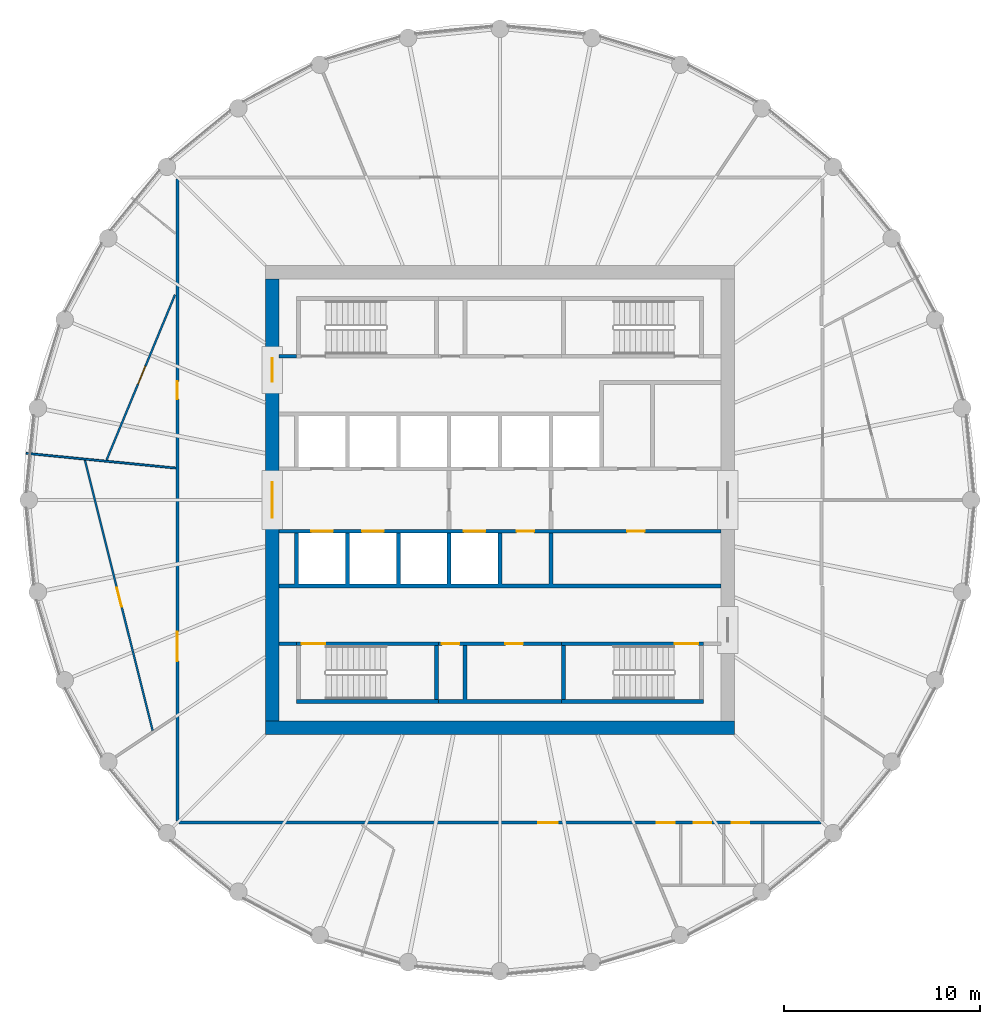
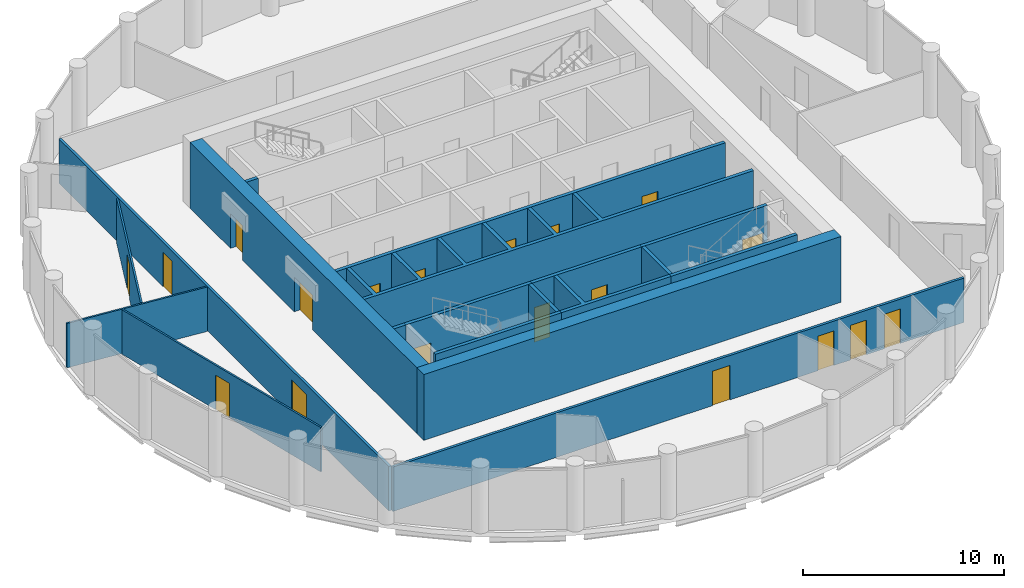
# One storey, part 4 of 7: 19 doors, 19 walls, 19 openings.
"""IFC4 building model written with IfcOpenShell, lengths in metres."""

from ifc_helpers import new_model, si_unit, direction, frame, frame_2d, origin, place, context, subcontext, project, spatial, polyline, rectangle, outline, extrude, material, layer, layer_set, type_object, element, fill, save


model = new_model("IFC4")

# Units and contexts
model_context = context("Model", 3, precision=1e-05, world=origin(), true_north=direction((0.0, 1.0)))
body_context = subcontext(model_context, "Body", "Model", "MODEL_VIEW")
ifc_project = project(units=[si_unit("LENGTHUNIT", "METRE"), si_unit("AREAUNIT", "SQUARE_METRE"), si_unit("VOLUMEUNIT", "CUBIC_METRE"), si_unit("PLANEANGLEUNIT", "RADIAN"), si_unit("MASSUNIT", "GRAM", prefix="KILO")], contexts=[model_context])

# Site, building, storey
site_placement = place(None, origin())
site = spatial("IfcSite", under=ifc_project, at=site_placement, CompositionType="ELEMENT")
building_placement = place(site_placement, origin())
building = spatial("IfcBuilding", under=site, at=building_placement, Name="Corvane Civic Tower", CompositionType="ELEMENT")
storey_placement = place(building_placement, frame((0.0, 0.0, 275.0)))
storey = spatial("IfcBuildingStorey", under=building, at=storey_placement, Name="L65", CompositionType="ELEMENT", Elevation=275.0)

# Wall
ifc_material_1 = material(Name="Concrete C40/50", Category="concrete")
ifc_layer_1 = layer(ifc_material_1, 0.699951171875)
ifc_layer_set_1 = layer_set([ifc_layer_1], Name="Concrete C40/50")
wall_type_1 = type_object("IfcWallType", Name="CORE WALL 700 C40/50", PredefinedType="SHEAR", material=ifc_layer_set_1)
wall_1_placement = place(storey_placement, frame((-12.0, -11.64990234375, 0.0), z_axis=(0.0, 0.0, 1.0), x_axis=(1.0, 0.0, 0.0)))
element("IfcWall", 1, at=wall_1_placement, inside=storey, type_object=wall_type_1, Name="W-L65-core-S", PredefinedType="SHEAR", context=body_context, shape_type="SweptSolid", body=[
    extrude(rectangle(XDim=24.0, YDim=0.699951171875, at=frame_2d((12.0, 0.0))), origin(), (0.0, 0.0, 1.0), 4.0),
])

# Wall, openings, doors
wall_2_placement = place(storey_placement, frame((-11.64990234375, -11.300048828125, 0.0), z_axis=(0.0, 0.0, 1.0), x_axis=(0.0, 1.0, 0.0)))
wall_2 = element("IfcWall", 2, at=wall_2_placement, inside=storey, type_object=wall_type_1, Name="W-L65-core-W", PredefinedType="SHEAR", context=body_context, shape_type="SweptSolid", body=[
    extrude(rectangle(XDim=22.60009765625, YDim=0.699951171875, at=frame_2d((11.300048828125, 0.0))), origin(), (0.0, 0.0, 1.0), 4.0),
])
opening_1_placement = place(wall_2_placement, frame((10.39990234375, 0.0, 0.0)))
opening_1 = element("IfcOpeningElement", 3, at=opening_1_placement, cuts=wall_2, Name="Opening L65.C15", PredefinedType="OPENING", context=body_context, shape_type="SweptSolid", body=[
    extrude(rectangle(XDim=1.800048828125, YDim=2.10009765625, at=frame_2d((0.89990234375, 1.050048828125))), frame((0.0, 0.35986328125, 0.0), z_axis=(0.0, -1.0, 0.0), x_axis=(1.0, 0.0, 0.0)), (0.0, 0.0, 1.0), 0.719970703125),
])
opening_2_placement = place(wall_2_placement, frame((17.35009765625, 0.0, 0.0)))
opening_2 = element("IfcOpeningElement", 4, at=opening_2_placement, cuts=wall_2, Name="Opening L65.C17", PredefinedType="OPENING", context=body_context, shape_type="SweptSolid", body=[
    extrude(rectangle(XDim=1.199951171875, YDim=2.10009765625, at=frame_2d((0.60009765625, 1.050048828125))), frame((0.0, 0.35986328125, 0.0), z_axis=(0.0, -1.0, 0.0), x_axis=(1.0, 0.0, 0.0)), (0.0, 0.0, 1.0), 0.719970703125),
])
ifc_material_2 = material(Name="Steel fire door leaf", Category="steel")
door_type_1 = type_object("IfcDoorType", Name="CR-DOOR-CORE-1800", OperationType="DOUBLE_DOOR_SINGLE_SWING", PredefinedType="DOOR", material=ifc_material_2)
door_1_placement = place(opening_1_placement, origin())
door_1 = element("IfcDoor", 5, at=door_1_placement, inside=storey, type_object=door_type_1, Name="L65 door", OperationType="DOUBLE_DOOR_SINGLE_SWING", OverallHeight=2.10009765625, OverallWidth=1.800048828125, PredefinedType="DOOR", context=body_context, shape_type="SweptSolid", body=[
    extrude(rectangle(XDim=1.800048828125, YDim=2.10009765625, at=frame_2d((0.89990234375, 1.050048828125))), frame((0.0, 0.02490234375, 0.0), z_axis=(0.0, -1.0, 0.0), x_axis=(1.0, 0.0, 0.0)), (0.0, 0.0, 1.0), 0.050048828125),
])
fill(opening_1, door_1)
door_2_placement = place(opening_2_placement, origin())
door_2 = element("IfcDoor", 6, at=door_2_placement, inside=storey, type_object=door_type_1, Name="L65 door", OperationType="DOUBLE_DOOR_SINGLE_SWING", OverallHeight=2.10009765625, OverallWidth=1.199951171875, PredefinedType="DOOR", context=body_context, shape_type="SweptSolid", body=[
    extrude(rectangle(XDim=1.199951171875, YDim=2.10009765625, at=frame_2d((0.60009765625, 1.050048828125))), frame((0.0, 0.02490234375, 0.0), z_axis=(0.0, -1.0, 0.0), x_axis=(1.0, 0.0, 0.0)), (0.0, 0.0, 1.0), 0.050048828125),
])
fill(opening_2, door_2)

ifc_material_3 = material(Name="Concrete C30/37", Category="concrete")
ifc_layer_2 = layer(ifc_material_3, 0.199951171875)
ifc_layer_set_2 = layer_set([ifc_layer_2], Name="Concrete C30/37")
wall_type_2 = type_object("IfcWallType", Name="CR-WALL-200", PredefinedType="PARTITIONING", material=ifc_layer_set_2)
wall_3_placement = place(storey_placement, frame((-3.14990234375, -7.35009765625, 0.0), z_axis=(0.0, 0.0, 1.0), x_axis=(1.0, 0.0, 0.0)))
wall_3 = element("IfcWall", 7, at=wall_3_placement, inside=storey, type_object=wall_type_2, Name="L65 core partition wall", PredefinedType="PARTITIONING", context=body_context, shape_type="SweptSolid", body=[
    extrude(rectangle(XDim=6.2998046875, YDim=0.199951171875, at=frame_2d((3.14990234375, 0.0))), origin(), (0.0, 0.0, 1.0), 3.699951171875),
])
opening_3_placement = place(wall_3_placement, frame((0.175048828125, 0.0, 0.0)))
opening_3 = element("IfcOpeningElement", 8, at=opening_3_placement, cuts=wall_3, Name="Opening L65.C07", PredefinedType="OPENING", context=body_context, shape_type="SweptSolid", body=[
    extrude(rectangle(XDim=0.89990234375, YDim=2.10009765625, at=frame_2d((0.449951171875, 1.050048828125))), frame((0.0, 0.10986328125, 0.0), z_axis=(0.0, -1.0, 0.0), x_axis=(1.0, 0.0, 0.0)), (0.0, 0.0, 1.0), 0.219970703125),
])
opening_4_placement = place(wall_3_placement, frame((3.425048828125, 0.0, 0.0)))
opening_4 = element("IfcOpeningElement", 9, at=opening_4_placement, cuts=wall_3, Name="Opening L65.C08", PredefinedType="OPENING", context=body_context, shape_type="SweptSolid", body=[
    extrude(rectangle(XDim=0.89990234375, YDim=2.10009765625, at=frame_2d((0.449951171875, 1.050048828125))), frame((0.0, 0.10986328125, 0.0), z_axis=(0.0, -1.0, 0.0), x_axis=(1.0, 0.0, 0.0)), (0.0, 0.0, 1.0), 0.219970703125),
])
ifc_material_4 = material(Name="Steel fire door leaf", Category="steel")
door_type_2 = type_object("IfcDoorType", Name="CR-DOOR-900", OperationType="SINGLE_SWING_LEFT", PredefinedType="DOOR", material=ifc_material_4)
door_3_placement = place(opening_3_placement, origin())
door_3 = element("IfcDoor", 10, at=door_3_placement, inside=storey, type_object=door_type_2, Name="L65 door", OperationType="SINGLE_SWING_LEFT", OverallHeight=2.10009765625, OverallWidth=0.89990234375, PredefinedType="DOOR", context=body_context, shape_type="SweptSolid", body=[
    extrude(rectangle(XDim=0.89990234375, YDim=2.10009765625, at=frame_2d((0.449951171875, 1.050048828125))), frame((0.0, 0.02490234375, 0.0), z_axis=(0.0, -1.0, 0.0), x_axis=(1.0, 0.0, 0.0)), (0.0, 0.0, 1.0), 0.050048828125),
])
fill(opening_3, door_3)
door_4_placement = place(opening_4_placement, origin())
door_4 = element("IfcDoor", 11, at=door_4_placement, inside=storey, type_object=door_type_2, Name="L65 door", OperationType="SINGLE_SWING_LEFT", OverallHeight=2.10009765625, OverallWidth=0.89990234375, PredefinedType="DOOR", context=body_context, shape_type="SweptSolid", body=[
    extrude(rectangle(XDim=0.89990234375, YDim=2.10009765625, at=frame_2d((0.449951171875, 1.050048828125))), frame((0.0, 0.02490234375, 0.0), z_axis=(0.0, -1.0, 0.0), x_axis=(1.0, 0.0, 0.0)), (0.0, 0.0, 1.0), 0.050048828125),
])
fill(opening_4, door_4)

wall_4_placement = place(storey_placement, frame((-11.300048828125, -1.60009765625, 0.0), z_axis=(0.0, 0.0, 1.0), x_axis=(1.0, 0.0, 0.0)))
wall_4 = element("IfcWall", 12, at=wall_4_placement, inside=storey, type_object=wall_type_2, Name="L65 lift shaft wall", PredefinedType="PARTITIONING", context=body_context, shape_type="SweptSolid", body=[
    extrude(rectangle(XDim=22.60009765625, YDim=0.199951171875, at=frame_2d((11.300048828125, 0.0))), origin(), (0.0, 0.0, 1.0), 3.699951171875),
])
opening_5_placement = place(wall_4_placement, frame((1.64990234375, 0.0, 0.0)))
opening_5 = element("IfcOpeningElement", 13, at=opening_5_placement, cuts=wall_4, Name="Opening LD", PredefinedType="OPENING", context=body_context, shape_type="SweptSolid", body=[
    extrude(rectangle(XDim=1.10009765625, YDim=2.10009765625, at=frame_2d((0.550048828125, 1.050048828125))), frame((0.0, 0.10986328125, 0.0), z_axis=(0.0, -1.0, 0.0), x_axis=(1.0, 0.0, 0.0)), (0.0, 0.0, 1.0), 0.219970703125),
])
opening_6_placement = place(wall_4_placement, frame((4.25, 0.0, 0.0)))
opening_6 = element("IfcOpeningElement", 14, at=opening_6_placement, cuts=wall_4, Name="Opening LD", PredefinedType="OPENING", context=body_context, shape_type="SweptSolid", body=[
    extrude(rectangle(XDim=1.10009765625, YDim=2.10009765625, at=frame_2d((0.550048828125, 1.050048828125))), frame((0.0, 0.10986328125, 0.0), z_axis=(0.0, -1.0, 0.0), x_axis=(1.0, 0.0, 0.0)), (0.0, 0.0, 1.0), 0.219970703125),
])
opening_7_placement = place(wall_4_placement, frame((9.449951171875, 0.0, 0.0)))
opening_7 = element("IfcOpeningElement", 15, at=opening_7_placement, cuts=wall_4, Name="Opening LD", PredefinedType="OPENING", context=body_context, shape_type="SweptSolid", body=[
    extrude(rectangle(XDim=1.10009765625, YDim=2.10009765625, at=frame_2d((0.550048828125, 1.050048828125))), frame((0.0, 0.10986328125, 0.0), z_axis=(0.0, -1.0, 0.0), x_axis=(1.0, 0.0, 0.0)), (0.0, 0.0, 1.0), 0.219970703125),
])
opening_8_placement = place(wall_4_placement, frame((12.14990234375, 0.0, 0.0)))
opening_8 = element("IfcOpeningElement", 16, at=opening_8_placement, cuts=wall_4, Name="Opening L65.C03", PredefinedType="OPENING", context=body_context, shape_type="SweptSolid", body=[
    extrude(rectangle(XDim=0.89990234375, YDim=2.10009765625, at=frame_2d((0.449951171875, 1.050048828125))), frame((0.0, 0.10986328125, 0.0), z_axis=(0.0, -1.0, 0.0), x_axis=(1.0, 0.0, 0.0)), (0.0, 0.0, 1.0), 0.219970703125),
])
opening_9_placement = place(wall_4_placement, frame((17.800048828125, 0.0, 0.0)))
opening_9 = element("IfcOpeningElement", 17, at=opening_9_placement, cuts=wall_4, Name="Opening L65.C04", PredefinedType="OPENING", context=body_context, shape_type="SweptSolid", body=[
    extrude(rectangle(XDim=0.89990234375, YDim=2.10009765625, at=frame_2d((0.449951171875, 1.050048828125))), frame((0.0, 0.10986328125, 0.0), z_axis=(0.0, -1.0, 0.0), x_axis=(1.0, 0.0, 0.0)), (0.0, 0.0, 1.0), 0.219970703125),
])
door_5_placement = place(opening_8_placement, origin())
door_5 = element("IfcDoor", 18, at=door_5_placement, inside=storey, type_object=door_type_2, Name="L65 door", OperationType="SINGLE_SWING_LEFT", OverallHeight=2.10009765625, OverallWidth=0.89990234375, PredefinedType="DOOR", context=body_context, shape_type="SweptSolid", body=[
    extrude(rectangle(XDim=0.89990234375, YDim=2.10009765625, at=frame_2d((0.449951171875, 1.050048828125))), frame((0.0, 0.02490234375, 0.0), z_axis=(0.0, -1.0, 0.0), x_axis=(1.0, 0.0, 0.0)), (0.0, 0.0, 1.0), 0.050048828125),
])
fill(opening_8, door_5)
door_6_placement = place(opening_9_placement, origin())
door_6 = element("IfcDoor", 19, at=door_6_placement, inside=storey, type_object=door_type_2, Name="L65 door", OperationType="SINGLE_SWING_LEFT", OverallHeight=2.10009765625, OverallWidth=0.89990234375, PredefinedType="DOOR", context=body_context, shape_type="SweptSolid", body=[
    extrude(rectangle(XDim=0.89990234375, YDim=2.10009765625, at=frame_2d((0.449951171875, 1.050048828125))), frame((0.0, 0.02490234375, 0.0), z_axis=(0.0, -1.0, 0.0), x_axis=(1.0, 0.0, 0.0)), (0.0, 0.0, 1.0), 0.050048828125),
])
fill(opening_9, door_6)
ifc_material_5 = material(Name="Stainless steel 316 door leaves", Category="steel")
door_type_3 = type_object("IfcDoorType", Name="LD", OperationType="DOUBLE_DOOR_SLIDING", PredefinedType="DOOR", material=ifc_material_5)
door_7_placement = place(opening_5_placement, origin())
door_7 = element("IfcDoor", 20, at=door_7_placement, inside=storey, type_object=door_type_3, Name="L65 landing door", OperationType="DOUBLE_DOOR_SLIDING", OverallHeight=2.10009765625, OverallWidth=1.10009765625, PredefinedType="DOOR", context=body_context, shape_type="SweptSolid", body=[
    extrude(rectangle(XDim=1.10009765625, YDim=2.10009765625, at=frame_2d((0.550048828125, 1.050048828125))), frame((0.0, 0.02490234375, 0.0), z_axis=(0.0, -1.0, 0.0), x_axis=(1.0, 0.0, 0.0)), (0.0, 0.0, 1.0), 0.050048828125),
])
fill(opening_5, door_7)
door_8_placement = place(opening_6_placement, origin())
door_8 = element("IfcDoor", 21, at=door_8_placement, inside=storey, type_object=door_type_3, Name="L65 landing door", OperationType="DOUBLE_DOOR_SLIDING", OverallHeight=2.10009765625, OverallWidth=1.10009765625, PredefinedType="DOOR", context=body_context, shape_type="SweptSolid", body=[
    extrude(rectangle(XDim=1.10009765625, YDim=2.10009765625, at=frame_2d((0.550048828125, 1.050048828125))), frame((0.0, 0.02490234375, 0.0), z_axis=(0.0, -1.0, 0.0), x_axis=(1.0, 0.0, 0.0)), (0.0, 0.0, 1.0), 0.050048828125),
])
fill(opening_6, door_8)
door_9_placement = place(opening_7_placement, origin())
door_9 = element("IfcDoor", 22, at=door_9_placement, inside=storey, type_object=door_type_3, Name="L65 landing door", OperationType="DOUBLE_DOOR_SLIDING", OverallHeight=2.10009765625, OverallWidth=1.10009765625, PredefinedType="DOOR", context=body_context, shape_type="SweptSolid", body=[
    extrude(rectangle(XDim=1.10009765625, YDim=2.10009765625, at=frame_2d((0.550048828125, 1.050048828125))), frame((0.0, 0.02490234375, 0.0), z_axis=(0.0, -1.0, 0.0), x_axis=(1.0, 0.0, 0.0)), (0.0, 0.0, 1.0), 0.050048828125),
])
fill(opening_7, door_9)

# Walls
wall_5_placement = place(storey_placement, origin())
element("IfcWall", 23, at=wall_5_placement, inside=storey, type_object=wall_type_2, Name="L65 core partition wall", PredefinedType="PARTITIONING", context=body_context, shape_type="SweptSolid", body=[
    extrude(outline(polyline([(-10.39990234375, -7.449951171875), (-11.300048828125, -7.449951171875), (-11.300048828125, -7.25), (-10.39990234375, -7.25), (-10.39990234375, -7.449951171875)])), origin(), (0.0, 0.0, 1.0), 3.699951171875),
])
wall_6_placement = place(storey_placement, origin())
element("IfcWall", 24, at=wall_6_placement, inside=storey, type_object=wall_type_2, Name="L65 core partition wall", PredefinedType="PARTITIONING", context=body_context, shape_type="SweptSolid", body=[
    extrude(outline(polyline([(-10.39990234375, 7.25), (-11.300048828125, 7.25), (-11.300048828125, 7.449951171875), (-10.39990234375, 7.449951171875), (-10.39990234375, 7.25)])), origin(), (0.0, 0.0, 1.0), 3.699951171875),
])
wall_7_placement = place(storey_placement, origin())
element("IfcWall", 25, at=wall_7_placement, inside=storey, type_object=wall_type_2, Name="L65 core partition wall", PredefinedType="PARTITIONING", context=body_context, shape_type="SweptSolid", body=[
    extrude(outline(polyline([(-10.300048828125, -1.699951171875), (-10.300048828125, -4.300048828125), (-7.89990234375, -4.300048828125), (-7.89990234375, -1.699951171875), (-7.699951171875, -1.699951171875), (-7.699951171875, -4.300048828125), (-5.300048828125, -4.300048828125), (-5.300048828125, -1.699951171875), (-5.10009765625, -1.699951171875), (-5.10009765625, -4.300048828125), (-2.699951171875, -4.300048828125), (-2.699951171875, -1.699951171875), (-2.5, -1.699951171875), (-2.5, -4.300048828125), (-0.10009765625, -4.300048828125), (-0.10009765625, -1.699951171875), (0.10009765625, -1.699951171875), (0.10009765625, -4.300048828125), (2.5, -4.300048828125), (2.5, -1.699951171875), (2.699951171875, -1.699951171875), (2.699951171875, -4.300048828125), (11.300048828125, -4.300048828125), (11.300048828125, -4.5), (-11.300048828125, -4.5), (-11.300048828125, -4.300048828125), (-10.5, -4.300048828125), (-10.5, -1.699951171875), (-10.300048828125, -1.699951171875)])), origin(), (0.0, 0.0, 1.0), 3.699951171875),
])
wall_8_placement = place(storey_placement, origin())
element("IfcWall", 26, at=wall_8_placement, inside=storey, type_object=wall_type_2, Name="L65 core partition wall", PredefinedType="PARTITIONING", context=body_context, shape_type="SweptSolid", body=[
    extrude(outline(polyline([(-1.699951171875, -7.449951171875), (-1.699951171875, -10.199951171875), (3.14990234375, -10.199951171875), (3.14990234375, -10.39990234375), (-3.14990234375, -10.39990234375), (-3.14990234375, -10.199951171875), (-1.89990234375, -10.199951171875), (-1.89990234375, -7.449951171875), (-1.699951171875, -7.449951171875)])), origin(), (0.0, 0.0, 1.0), 3.699951171875),
])

# Wall, opening, door
ifc_material_6 = material(Name="Plasterboard")
ifc_layer_3 = layer(ifc_material_6, 0.10009765625)
ifc_layer_set_3 = layer_set([ifc_layer_3], Name="Plasterboard")
wall_type_3 = type_object("IfcWallType", Name="Partition 100 plasterboard on studs", PredefinedType="PARTITIONING", material=ifc_layer_set_3)
wall_9_placement = place(storey_placement, frame((-21.2265625, 2.0234375, 0.0), z_axis=(0.0, 0.0, 1.0), x_axis=(0.242975281305, -0.970032480216, 0.0)))
wall_9 = element("IfcWall", 27, at=wall_9_placement, inside=storey, type_object=wall_type_3, Name="Partition L65.013", PredefinedType="PARTITIONING", context=body_context, shape_type="SweptSolid", body=[
    extrude(rectangle(XDim=14.240966796875, YDim=0.10009765625, at=frame_2d((7.12060546875, 0.0))), origin(), (0.0, 0.0, 1.0), 2.699951171875),
])
opening_10_placement = place(wall_9_placement, frame((6.7099609375, 0.0, 0.0)))
opening_10 = element("IfcOpeningElement", 28, at=opening_10_placement, cuts=wall_9, Name="Opening L65.001", PredefinedType="OPENING", context=body_context, shape_type="SweptSolid", body=[
    extrude(rectangle(XDim=1.0, YDim=2.10009765625, at=frame_2d((0.5, 1.050048828125))), frame((0.0, 0.06005859375, 0.0), z_axis=(0.0, -1.0, 0.0), x_axis=(1.0, 0.0, 0.0)), (0.0, 0.0, 1.0), 0.1201171875),
])
ifc_material_7 = material(Name="Timber", Category="wood")
door_type_4 = type_object("IfcDoorType", Name="Single door 1000", OperationType="NOTDEFINED", PredefinedType="DOOR", material=ifc_material_7)
door_10_placement = place(opening_10_placement, frame((1.0, 0.0, 0.0), z_axis=(0.0, 0.0, 1.0), x_axis=(-1.0, 0.0, 0.0)))
door_10 = element("IfcDoor", 29, at=door_10_placement, inside=storey, type_object=door_type_4, Name="Door L65.001", OperationType="SINGLE_SWING_LEFT", OverallHeight=2.10009765625, OverallWidth=1.0, PredefinedType="DOOR", context=body_context, shape_type="SweptSolid", body=[
    extrude(rectangle(XDim=1.0, YDim=2.10009765625, at=frame_2d((0.5, 1.050048828125))), frame((0.0, 0.02490234375, 0.0), z_axis=(0.0, -1.0, 0.0), x_axis=(1.0, 0.0, 0.0)), (0.0, 0.0, 1.0), 0.050048828125),
])
fill(opening_10, door_10)

# Wall
wall_10_placement = place(storey_placement, frame((-24.23291015625, 2.38671875, 0.0), z_axis=(0.0, 0.0, 1.0), x_axis=(0.995185996344, -0.098004248276, 0.0)))
element("IfcWall", 30, at=wall_10_placement, inside=storey, type_object=wall_type_3, Name="Partition L65.018", PredefinedType="PARTITIONING", context=body_context, shape_type="SweptSolid", body=[
    extrude(rectangle(XDim=7.690185546875, YDim=0.10009765625, at=frame_2d((3.84521484375, 0.0))), origin(), (0.0, 0.0, 1.0), 2.699951171875),
])

# Wall, opening, door
wall_11_placement = place(storey_placement, frame((-20.1220703125, 2.046630859375, 0.0), z_axis=(0.0, 0.0, 1.0), x_axis=(0.382700628355, 0.923872409512, 0.0)))
wall_11 = element("IfcWall", 31, at=wall_11_placement, inside=storey, type_object=wall_type_3, Name="Partition L65.019", PredefinedType="PARTITIONING", context=body_context, shape_type="SweptSolid", body=[
    extrude(rectangle(XDim=9.148193359375, YDim=0.10009765625, at=frame_2d((4.57421875, 0.0))), origin(), (0.0, 0.0, 1.0), 2.699951171875),
])
opening_11_placement = place(wall_11_placement, frame((4.196044921875, 0.0, 0.0)))
opening_11 = element("IfcOpeningElement", 32, at=opening_11_placement, cuts=wall_11, Name="Opening L65.003", PredefinedType="OPENING", context=body_context, shape_type="SweptSolid", body=[
    extrude(rectangle(XDim=1.0, YDim=2.10009765625, at=frame_2d((0.5, 1.050048828125))), frame((0.0, 0.06005859375, 0.0), z_axis=(0.0, -1.0, 0.0), x_axis=(1.0, 0.0, 0.0)), (0.0, 0.0, 1.0), 0.1201171875),
])
door_11_placement = place(opening_11_placement, origin())
door_11 = element("IfcDoor", 33, at=door_11_placement, inside=storey, type_object=door_type_4, Name="Door L65.003", OperationType="SINGLE_SWING_RIGHT", OverallHeight=2.10009765625, OverallWidth=1.0, PredefinedType="DOOR", context=body_context, shape_type="SweptSolid", body=[
    extrude(rectangle(XDim=1.0, YDim=2.10009765625, at=frame_2d((0.5, 1.050048828125))), frame((0.0, 0.02490234375, 0.0), z_axis=(0.0, -1.0, 0.0), x_axis=(1.0, 0.0, 0.0)), (0.0, 0.0, 1.0), 0.050048828125),
])
fill(opening_11, door_11)

ifc_material_8 = material(Name="Concrete C50/60", Category="concrete")
ifc_layer_4 = layer(ifc_material_8, 0.199951171875)
ifc_layer_set_4 = layer_set([ifc_layer_4], Name="Concrete C50/60")
wall_type_4 = type_object("IfcWallType", Name="ST-WALL-200", PredefinedType="SHEAR", material=ifc_layer_set_4)
wall_12_placement = place(storey_placement, frame((-10.39990234375, -7.35009765625, 0.0), z_axis=(0.0, 0.0, 1.0), x_axis=(1.0, 0.0, 0.0)))
wall_12 = element("IfcWall", 34, at=wall_12_placement, inside=storey, type_object=wall_type_4, Name="L65 stair enclosure wall", PredefinedType="SHEAR", context=body_context, shape_type="SweptSolid", body=[
    extrude(rectangle(XDim=7.25, YDim=0.199951171875, at=frame_2d((3.625, 0.0))), origin(), (0.0, 0.0, 1.0), 3.699951171875),
])
opening_12_placement = place(wall_12_placement, frame((0.25, 0.0, 0.0)))
opening_12 = element("IfcOpeningElement", 35, at=opening_12_placement, cuts=wall_12, Name="Opening L65.C12", PredefinedType="OPENING", context=body_context, shape_type="SweptSolid", body=[
    extrude(rectangle(XDim=1.199951171875, YDim=2.10009765625, at=frame_2d((0.60009765625, 1.050048828125))), frame((0.0, 0.10986328125, 0.0), z_axis=(0.0, -1.0, 0.0), x_axis=(1.0, 0.0, 0.0)), (0.0, 0.0, 1.0), 0.219970703125),
])
ifc_material_9 = material(Name="Steel fire door leaf", Category="steel")
door_type_5 = type_object("IfcDoorType", Name="ST-DOOR-1200", OperationType="SINGLE_SWING_RIGHT", PredefinedType="DOOR", material=ifc_material_9)
door_12_placement = place(opening_12_placement, origin())
door_12 = element("IfcDoor", 36, at=door_12_placement, inside=storey, type_object=door_type_5, Name="L65 stair door", OperationType="SINGLE_SWING_RIGHT", OverallHeight=2.10009765625, OverallWidth=1.199951171875, PredefinedType="DOOR", context=body_context, shape_type="SweptSolid", body=[
    extrude(rectangle(XDim=1.199951171875, YDim=2.10009765625, at=frame_2d((0.60009765625, 1.050048828125))), frame((0.0, 0.02490234375, 0.0), z_axis=(0.0, -1.0, 0.0), x_axis=(1.0, 0.0, 0.0)), (0.0, 0.0, 1.0), 0.050048828125),
])
fill(opening_12, door_12)

wall_13_placement = place(storey_placement, frame((3.14990234375, -7.35009765625, 0.0), z_axis=(0.0, 0.0, 1.0), x_axis=(1.0, 0.0, 0.0)))
wall_13 = element("IfcWall", 37, at=wall_13_placement, inside=storey, type_object=wall_type_4, Name="L65 stair enclosure wall", PredefinedType="SHEAR", context=body_context, shape_type="SweptSolid", body=[
    extrude(rectangle(XDim=7.25, YDim=0.199951171875, at=frame_2d((3.625, 0.0))), origin(), (0.0, 0.0, 1.0), 3.699951171875),
])
opening_13_placement = place(wall_13_placement, frame((5.800048828125, 0.0, 0.0)))
opening_13 = element("IfcOpeningElement", 38, at=opening_13_placement, cuts=wall_13, Name="Opening L65.C11", PredefinedType="OPENING", context=body_context, shape_type="SweptSolid", body=[
    extrude(rectangle(XDim=1.199951171875, YDim=2.10009765625, at=frame_2d((0.60009765625, 1.050048828125))), frame((0.0, 0.10986328125, 0.0), z_axis=(0.0, -1.0, 0.0), x_axis=(1.0, 0.0, 0.0)), (0.0, 0.0, 1.0), 0.219970703125),
])
door_13_placement = place(opening_13_placement, origin())
door_13 = element("IfcDoor", 39, at=door_13_placement, inside=storey, type_object=door_type_5, Name="L65 stair door", OperationType="SINGLE_SWING_RIGHT", OverallHeight=2.10009765625, OverallWidth=1.199951171875, PredefinedType="DOOR", context=body_context, shape_type="SweptSolid", body=[
    extrude(rectangle(XDim=1.199951171875, YDim=2.10009765625, at=frame_2d((0.60009765625, 1.050048828125))), frame((0.0, 0.02490234375, 0.0), z_axis=(0.0, -1.0, 0.0), x_axis=(1.0, 0.0, 0.0)), (0.0, 0.0, 1.0), 0.050048828125),
])
fill(opening_13, door_13)

# Walls
wall_14_placement = place(storey_placement, origin())
element("IfcWall", 40, at=wall_14_placement, inside=storey, type_object=wall_type_4, Name="L65 stair enclosure wall", PredefinedType="SHEAR", context=body_context, shape_type="SweptSolid", body=[
    extrude(outline(polyline([(-3.14990234375, -10.199951171875), (-3.14990234375, -10.39990234375), (-10.39990234375, -10.39990234375), (-10.39990234375, -10.199951171875), (-3.14990234375, -10.199951171875)])), origin(), (0.0, 0.0, 1.0), 3.699951171875),
])
wall_15_placement = place(storey_placement, origin())
element("IfcWall", 41, at=wall_15_placement, inside=storey, type_object=wall_type_4, Name="L65 stair enclosure wall", PredefinedType="SHEAR", context=body_context, shape_type="SweptSolid", body=[
    extrude(outline(polyline([(10.39990234375, -10.39990234375), (3.14990234375, -10.39990234375), (3.14990234375, -10.199951171875), (10.39990234375, -10.199951171875), (10.39990234375, -10.39990234375)])), origin(), (0.0, 0.0, 1.0), 3.699951171875),
])
wall_16_placement = place(storey_placement, origin())
element("IfcWall", 42, at=wall_16_placement, inside=storey, type_object=wall_type_4, Name="L65 stair enclosure wall", PredefinedType="SHEAR", context=body_context, shape_type="SweptSolid", body=[
    extrude(outline(polyline([(-3.14990234375, -7.449951171875), (-3.14990234375, -10.199951171875), (-3.35009765625, -10.199951171875), (-3.35009765625, -7.449951171875), (-3.14990234375, -7.449951171875)])), origin(), (0.0, 0.0, 1.0), 3.699951171875),
])
wall_17_placement = place(storey_placement, origin())
element("IfcWall", 43, at=wall_17_placement, inside=storey, type_object=wall_type_4, Name="L65 stair enclosure wall", PredefinedType="SHEAR", context=body_context, shape_type="SweptSolid", body=[
    extrude(outline(polyline([(3.35009765625, -7.449951171875), (3.35009765625, -10.199951171875), (3.14990234375, -10.199951171875), (3.14990234375, -7.449951171875), (3.35009765625, -7.449951171875)])), origin(), (0.0, 0.0, 1.0), 3.699951171875),
])

# Wall, openings, doors
ifc_material_10 = material(Name="Plasterboard")
ifc_layer_5 = layer(ifc_material_10, 0.14990234375)
ifc_layer_set_5 = layer_set([ifc_layer_5], Name="Plasterboard")
wall_type_5 = type_object("IfcWallType", Name="Tenancy wall 150 EI 60", PredefinedType="PARTITIONING", material=ifc_layer_set_5)
wall_18_placement = place(storey_placement, frame((-16.425048828125, -16.5, 0.0), z_axis=(0.0, 0.0, 1.0), x_axis=(1.0, 0.0, 0.0)))
wall_18 = element("IfcWall", 44, at=wall_18_placement, inside=storey, type_object=wall_type_5, Name="Partition L65.008", PredefinedType="PARTITIONING", context=body_context, shape_type="SweptSolid", body=[
    extrude(rectangle(XDim=32.85009765625, YDim=0.14990234375, at=frame_2d((16.425048828125, 0.0))), origin(), (0.0, 0.0, 1.0), 2.699951171875),
])
opening_14_placement = place(wall_18_placement, frame((26.328125, 0.0, 0.0)))
opening_14 = element("IfcOpeningElement", 45, at=opening_14_placement, cuts=wall_18, Name="Opening L65.012", PredefinedType="OPENING", context=body_context, shape_type="SweptSolid", body=[
    extrude(rectangle(XDim=0.89990234375, YDim=2.10009765625, at=frame_2d((0.449951171875, 1.050048828125))), frame((0.0, 0.0849609375, 0.0), z_axis=(0.0, -1.0, 0.0), x_axis=(1.0, 0.0, 0.0)), (0.0, 0.0, 1.0), 0.169921875),
])
opening_15_placement = place(wall_18_placement, frame((28.281982421875, 0.0, 0.0)))
opening_15 = element("IfcOpeningElement", 46, at=opening_15_placement, cuts=wall_18, Name="Opening L65.013", PredefinedType="OPENING", context=body_context, shape_type="SweptSolid", body=[
    extrude(rectangle(XDim=0.89990234375, YDim=2.10009765625, at=frame_2d((0.449951171875, 1.050048828125))), frame((0.0, 0.0849609375, 0.0), z_axis=(0.0, -1.0, 0.0), x_axis=(1.0, 0.0, 0.0)), (0.0, 0.0, 1.0), 0.169921875),
])
opening_16_placement = place(wall_18_placement, frame((24.454833984375, 0.0, 0.0)))
opening_16 = element("IfcOpeningElement", 47, at=opening_16_placement, cuts=wall_18, Name="Opening L65.014", PredefinedType="OPENING", context=body_context, shape_type="SweptSolid", body=[
    extrude(rectangle(XDim=0.89990234375, YDim=2.10009765625, at=frame_2d((0.449951171875, 1.050048828125))), frame((0.0, 0.0849609375, 0.0), z_axis=(0.0, -1.0, 0.0), x_axis=(1.0, 0.0, 0.0)), (0.0, 0.0, 1.0), 0.169921875),
])
opening_17_placement = place(wall_18_placement, frame((18.39013671875, 0.0, 0.0)))
opening_17 = element("IfcOpeningElement", 48, at=opening_17_placement, cuts=wall_18, Name="Opening L65.015", PredefinedType="OPENING", context=body_context, shape_type="SweptSolid", body=[
    extrude(rectangle(XDim=1.0, YDim=2.10009765625, at=frame_2d((0.5, 1.050048828125))), frame((0.0, 0.0849609375, 0.0), z_axis=(0.0, -1.0, 0.0), x_axis=(1.0, 0.0, 0.0)), (0.0, 0.0, 1.0), 0.169921875),
])
ifc_material_11 = material(Name="Steel and timber", Category="steel")
door_type_6 = type_object("IfcDoorType", Name="Fire door FD30S 1000", OperationType="NOTDEFINED", PredefinedType="DOOR", material=ifc_material_11)
door_14_placement = place(opening_17_placement, frame((1.0, 0.0, 0.0), z_axis=(0.0, 0.0, 1.0), x_axis=(-1.0, 0.0, 0.0)))
door_14 = element("IfcDoor", 49, at=door_14_placement, inside=storey, type_object=door_type_6, Name="Door L65.015", OperationType="SINGLE_SWING_RIGHT", OverallHeight=2.10009765625, OverallWidth=1.0, PredefinedType="DOOR", context=body_context, shape_type="SweptSolid", body=[
    extrude(rectangle(XDim=1.0, YDim=2.10009765625, at=frame_2d((0.5, 1.050048828125))), frame((0.0, 0.02490234375, 0.0), z_axis=(0.0, -1.0, 0.0), x_axis=(1.0, 0.0, 0.0)), (0.0, 0.0, 1.0), 0.050048828125),
])
fill(opening_17, door_14)
ifc_material_12 = material(Name="Steel and timber", Category="steel")
door_type_7 = type_object("IfcDoorType", Name="Fire door FD30S 900", OperationType="NOTDEFINED", PredefinedType="DOOR", material=ifc_material_12)
door_15_placement = place(opening_14_placement, frame((0.89990234375, 0.0, 0.0), z_axis=(0.0, 0.0, 1.0), x_axis=(-1.0, 0.0, 0.0)))
door_15 = element("IfcDoor", 50, at=door_15_placement, inside=storey, type_object=door_type_7, Name="Door L65.012", OperationType="SINGLE_SWING_RIGHT", OverallHeight=2.10009765625, OverallWidth=0.89990234375, PredefinedType="DOOR", context=body_context, shape_type="SweptSolid", body=[
    extrude(rectangle(XDim=0.89990234375, YDim=2.10009765625, at=frame_2d((0.449951171875, 1.050048828125))), frame((0.0, 0.02490234375, 0.0), z_axis=(0.0, -1.0, 0.0), x_axis=(1.0, 0.0, 0.0)), (0.0, 0.0, 1.0), 0.050048828125),
])
fill(opening_14, door_15)
door_16_placement = place(opening_15_placement, frame((0.89990234375, 0.0, 0.0), z_axis=(0.0, 0.0, 1.0), x_axis=(-1.0, 0.0, 0.0)))
door_16 = element("IfcDoor", 51, at=door_16_placement, inside=storey, type_object=door_type_7, Name="Door L65.013", OperationType="SINGLE_SWING_LEFT", OverallHeight=2.10009765625, OverallWidth=0.89990234375, PredefinedType="DOOR", context=body_context, shape_type="SweptSolid", body=[
    extrude(rectangle(XDim=0.89990234375, YDim=2.10009765625, at=frame_2d((0.449951171875, 1.050048828125))), frame((0.0, 0.02490234375, 0.0), z_axis=(0.0, -1.0, 0.0), x_axis=(1.0, 0.0, 0.0)), (0.0, 0.0, 1.0), 0.050048828125),
])
fill(opening_15, door_16)
door_17_placement = place(opening_16_placement, frame((0.89990234375, 0.0, 0.0), z_axis=(0.0, 0.0, 1.0), x_axis=(-1.0, 0.0, 0.0)))
door_17 = element("IfcDoor", 52, at=door_17_placement, inside=storey, type_object=door_type_7, Name="Door L65.014", OperationType="SINGLE_SWING_LEFT", OverallHeight=2.10009765625, OverallWidth=0.89990234375, PredefinedType="DOOR", context=body_context, shape_type="SweptSolid", body=[
    extrude(rectangle(XDim=0.89990234375, YDim=2.10009765625, at=frame_2d((0.449951171875, 1.050048828125))), frame((0.0, 0.02490234375, 0.0), z_axis=(0.0, -1.0, 0.0), x_axis=(1.0, 0.0, 0.0)), (0.0, 0.0, 1.0), 0.050048828125),
])
fill(opening_16, door_17)

wall_19_placement = place(storey_placement, frame((-16.5, -16.425048828125, 0.0), z_axis=(0.0, 0.0, 1.0), x_axis=(0.0, 1.0, 0.0)))
wall_19 = element("IfcWall", 53, at=wall_19_placement, inside=storey, type_object=wall_type_5, Name="Partition L65.009", PredefinedType="PARTITIONING", context=body_context, shape_type="SweptSolid", body=[
    extrude(rectangle(XDim=32.85009765625, YDim=0.14990234375, at=frame_2d((16.425048828125, 0.0))), origin(), (0.0, 0.0, 1.0), 2.699951171875),
])
opening_18_placement = place(wall_19_placement, frame((8.18310546875, 0.0, 0.0)))
opening_18 = element("IfcOpeningElement", 54, at=opening_18_placement, cuts=wall_19, Name="Opening L65.002", PredefinedType="OPENING", context=body_context, shape_type="SweptSolid", body=[
    extrude(rectangle(XDim=1.5, YDim=2.10009765625, at=frame_2d((0.75, 1.050048828125))), frame((0.0, 0.0849609375, 0.0), z_axis=(0.0, -1.0, 0.0), x_axis=(1.0, 0.0, 0.0)), (0.0, 0.0, 1.0), 0.169921875),
])
opening_19_placement = place(wall_19_placement, frame((21.589111328125, 0.0, 0.0)))
opening_19 = element("IfcOpeningElement", 55, at=opening_19_placement, cuts=wall_19, Name="Opening L65.005", PredefinedType="OPENING", context=body_context, shape_type="SweptSolid", body=[
    extrude(rectangle(XDim=0.89990234375, YDim=2.10009765625, at=frame_2d((0.449951171875, 1.050048828125))), frame((0.0, 0.0849609375, 0.0), z_axis=(0.0, -1.0, 0.0), x_axis=(1.0, 0.0, 0.0)), (0.0, 0.0, 1.0), 0.169921875),
])
door_18_placement = place(opening_19_placement, origin())
door_18 = element("IfcDoor", 56, at=door_18_placement, inside=storey, type_object=door_type_7, Name="Door L65.005", OperationType="SINGLE_SWING_LEFT", OverallHeight=2.10009765625, OverallWidth=0.89990234375, PredefinedType="DOOR", context=body_context, shape_type="SweptSolid", body=[
    extrude(rectangle(XDim=0.89990234375, YDim=2.10009765625, at=frame_2d((0.449951171875, 1.050048828125))), frame((0.0, 0.02490234375, 0.0), z_axis=(0.0, -1.0, 0.0), x_axis=(1.0, 0.0, 0.0)), (0.0, 0.0, 1.0), 0.050048828125),
])
fill(opening_19, door_18)
ifc_material_13 = material(Name="Steel and timber", Category="steel")
door_type_8 = type_object("IfcDoorType", Name="Fire door FD60 double 1500", OperationType="NOTDEFINED", PredefinedType="DOOR", material=ifc_material_13)
door_19_placement = place(opening_18_placement, origin())
door_19 = element("IfcDoor", 57, at=door_19_placement, inside=storey, type_object=door_type_8, Name="Door L65.002", OperationType="DOUBLE_DOOR_SINGLE_SWING", OverallHeight=2.10009765625, OverallWidth=1.5, PredefinedType="DOOR", context=body_context, shape_type="SweptSolid", body=[
    extrude(rectangle(XDim=1.5, YDim=2.10009765625, at=frame_2d((0.75, 1.050048828125))), frame((0.0, 0.02490234375, 0.0), z_axis=(0.0, -1.0, 0.0), x_axis=(1.0, 0.0, 0.0)), (0.0, 0.0, 1.0), 0.050048828125),
])
fill(opening_18, door_19)

save(model, "model.ifc")
